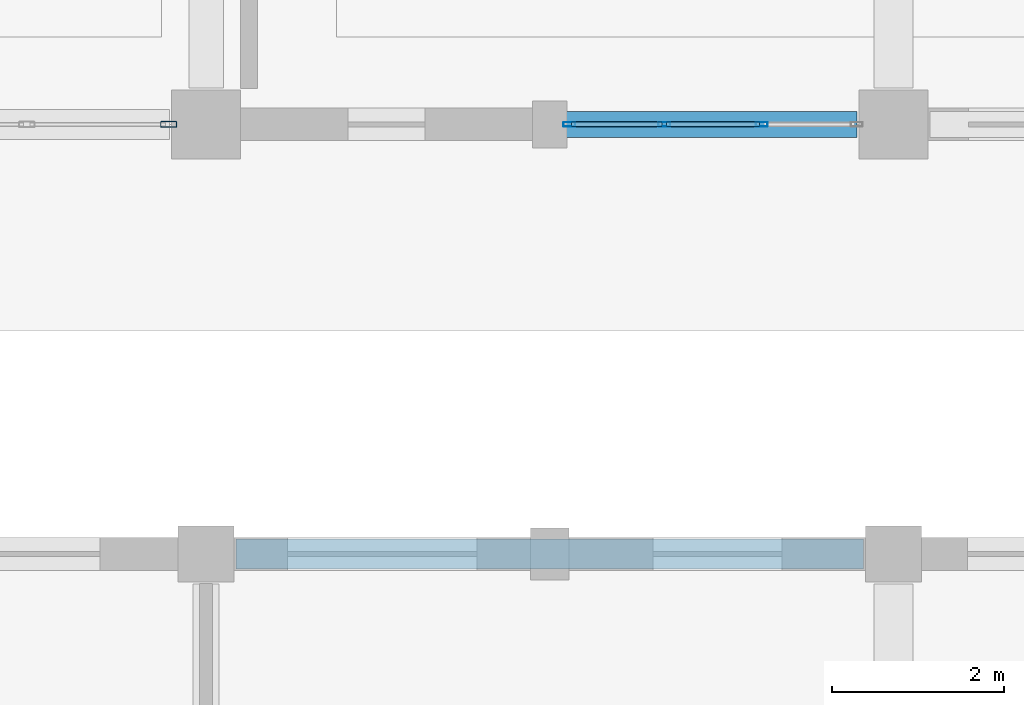
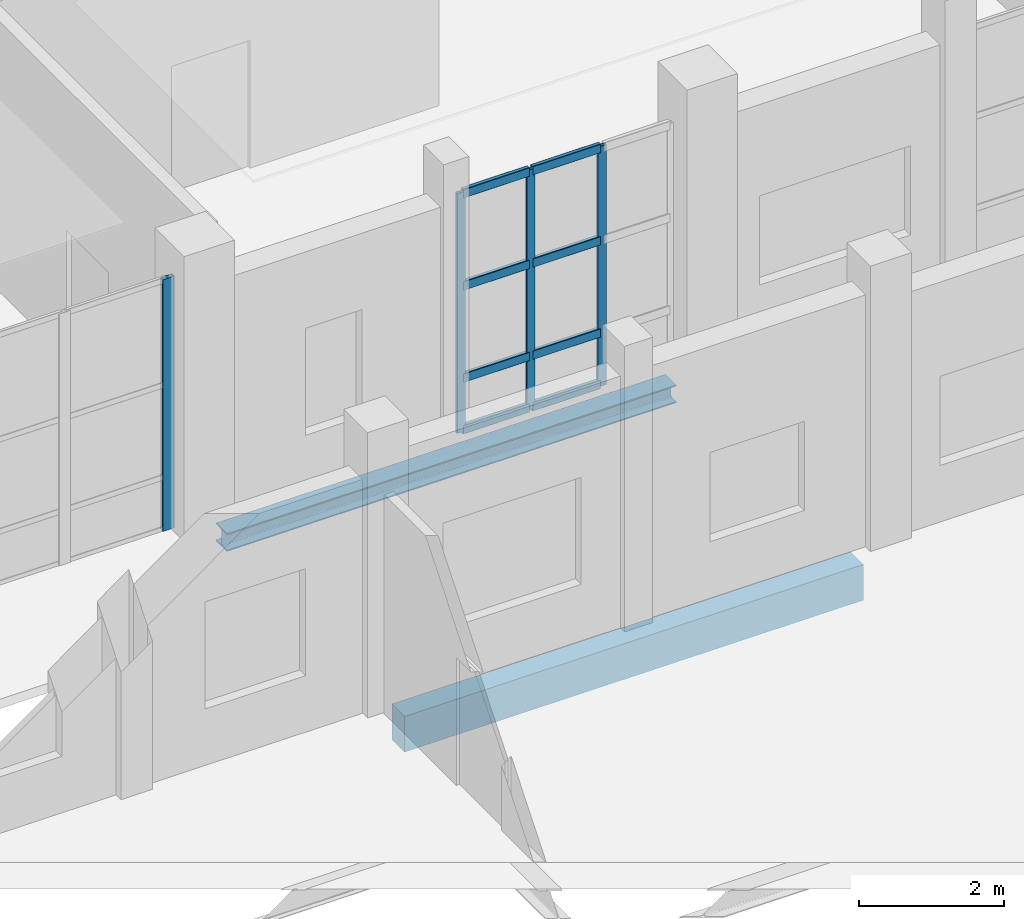
# One storey, part 93 of 156: 12 members, 2 beams, 2 elements without a shape of their own.
"""IFC4 building model written with IfcOpenShell, lengths in metres."""

from ifc_helpers import new_model, si_unit, direction, frame, origin, origin_2d, place, context, subcontext, project, spatial, rectangle, hollow_rectangle, i_section, extrude, material, material_profile, profile_set, type_object, element, aggregate, save


model = new_model("IFC4")

# Units and contexts
model_context = context("Model", 3, precision=1e-05, world=origin(), true_north=direction((0.0, 1.0)))
body_context = subcontext(model_context, "Body", "Model", "MODEL_VIEW")
ifc_project = project(units=[si_unit("LENGTHUNIT", "METRE"), si_unit("AREAUNIT", "SQUARE_METRE"), si_unit("VOLUMEUNIT", "CUBIC_METRE"), si_unit("PLANEANGLEUNIT", "RADIAN"), si_unit("MASSUNIT", "GRAM", prefix="KILO")], contexts=[model_context])

# Site, building, storey
site_placement = place(None, origin())
site = spatial("IfcSite", under=ifc_project, at=site_placement, CompositionType="ELEMENT")
building_placement = place(site_placement, origin())
building = spatial("IfcBuilding", under=site, at=building_placement, Name="Luwemba Playhouse", CompositionType="ELEMENT")
storey_placement = place(building_placement, origin())
storey = spatial("IfcBuildingStorey", under=building, at=storey_placement, Name="L00", CompositionType="ELEMENT", Elevation=0.0)

# Beams
ifc_material_1 = material(Name="Concrete C40/50", Category="concrete")
ifc_material_profile_1 = material_profile(ifc_material_1, rectangle(XDim=0.35009765625, YDim=0.60009765625, at=origin_2d()))
ifc_profile_set_1 = profile_set([ifc_material_profile_1], Name="Concrete C40/50")
beam_type_1 = type_object("IfcBeamType", Name="BM-SP3", PredefinedType="SPANDREL", material=ifc_profile_set_1)
beam_1_placement = place(storey_placement, frame((156.35009765625, 90.0, -0.60009765625), z_axis=(1.0, 0.0, 0.0), x_axis=(0.0, 1.0, 0.0)))
element("IfcBeam", 1, at=beam_1_placement, inside=storey, type_object=beam_type_1, Name="L00 grid girder 0130", PredefinedType="SPANDREL", context=body_context, shape_type="SweptSolid", body=[
    extrude(rectangle(XDim=0.35009765625, YDim=0.60009765625, at=origin_2d()), origin(), (0.0, 0.0, 1.0), 7.2998046875),
])
ifc_material_2 = material(Name="Steel S355", Category="steel")
ifc_material_profile_2 = material_profile(ifc_material_2, i_section(OverallWidth=0.300048828125, OverallDepth=0.300048828125, WebThickness=0.010986328125, FlangeThickness=0.01904296875, FilletRadius=0.027099609375, at=origin_2d()))
ifc_profile_set_2 = profile_set([ifc_material_profile_2], Name="Steel S355")
beam_type_2 = type_object("IfcBeamType", Name="BM-SSP1", PredefinedType="SPANDREL", material=ifc_profile_set_2)
beam_2_placement = place(storey_placement, frame((156.425048828125, 95.0, -0.449951171875), z_axis=(1.0, 0.0, 0.0), x_axis=(0.0, 1.0, 0.0)))
element("IfcBeam", 2, at=beam_2_placement, inside=storey, type_object=beam_type_2, Name="L00 grid girder 0303", PredefinedType="SPANDREL", context=body_context, shape_type="SweptSolid", body=[
    extrude(i_section(OverallWidth=0.300048828125, OverallDepth=0.300048828125, WebThickness=0.010986328125, FlangeThickness=0.01904296875, FilletRadius=0.027099609375, at=origin_2d()), origin(), (0.0, 0.0, 1.0), 7.14990234375),
])

# Curtain wall, members
ifc_material_3 = material(Name="Solar-control double glazing", Category="glass")
curtain_wall_type_1 = type_object("IfcCurtainWallType", Name="CW-CW30", PredefinedType="USERDEFINED", material=ifc_material_3)
curtain_wall_1_placement = place(storey_placement, origin())
curtain_wall_1 = element("IfcCurtainWall", 3, at=curtain_wall_1_placement, inside=storey, type_object=curtain_wall_type_1, Name="L00 V6E unitised curtain wall 089", ObjectType="UNITISED GLAZING", PredefinedType="USERDEFINED")
ifc_material_4 = material(Name="Aluminium 6063-T6", Category="aluminium")
ifc_material_profile_3 = material_profile(ifc_material_4, hollow_rectangle(XDim=0.054931640625, YDim=0.139892578125, WallThickness=0.00390625, InnerFilletRadius=0.006103515625, OuterFilletRadius=0.010009765625, at=origin_2d()))
ifc_profile_set_3 = profile_set([ifc_material_profile_3], Name="Aluminium 6063-T6")
member_type_1 = type_object("IfcMemberType", Name="CWM-M3", PredefinedType="MULLION", material=ifc_profile_set_3)
member_1_placement = place(storey_placement, frame((162.466552734375, 95.0, 0.0), z_axis=(0.0, 0.0, 1.0), x_axis=(0.0, -1.0, 0.0)))
member_1 = element("IfcMember", 4, at=member_1_placement, type_object=member_type_1, Name="CW30 mullion 2", PredefinedType="MULLION", context=body_context, shape_type="SweptSolid", body=[
    extrude(hollow_rectangle(XDim=0.054931640625, YDim=0.139892578125, WallThickness=0.00390625, InnerFilletRadius=0.006103515625, OuterFilletRadius=0.010009765625, at=origin_2d()), origin(), (0.0, 0.0, 1.0), 4.034912109375),
])
member_2_placement = place(storey_placement, frame((161.333251953125, 95.0, 0.0), z_axis=(0.0, 0.0, 1.0), x_axis=(0.0, -1.0, 0.0)))
member_2 = element("IfcMember", 5, at=member_2_placement, type_object=member_type_1, Name="CW30 mullion 3", PredefinedType="MULLION", context=body_context, shape_type="SweptSolid", body=[
    extrude(hollow_rectangle(XDim=0.054931640625, YDim=0.139892578125, WallThickness=0.00390625, InnerFilletRadius=0.006103515625, OuterFilletRadius=0.010009765625, at=origin_2d()), origin(), (0.0, 0.0, 1.0), 4.034912109375),
])
member_3_placement = place(storey_placement, frame((160.2275390625, 95.0, 0.0), z_axis=(0.0, 0.0, 1.0), x_axis=(0.0, -1.0, 0.0)))
member_3 = element("IfcMember", 6, at=member_3_placement, type_object=member_type_1, Name="CW30 mullion 4", PredefinedType="MULLION", context=body_context, shape_type="SweptSolid", body=[
    extrude(hollow_rectangle(XDim=0.054931640625, YDim=0.139892578125, WallThickness=0.00390625, InnerFilletRadius=0.006103515625, OuterFilletRadius=0.010009765625, at=origin_2d()), origin(), (0.0, 0.0, 1.0), 4.034912109375),
])

# Curtain wall, member
curtain_wall_type_2 = type_object("IfcCurtainWallType", Name="CW-CW70", PredefinedType="USERDEFINED", material=ifc_material_3)
curtain_wall_2_placement = place(storey_placement, origin())
curtain_wall_2 = element("IfcCurtainWall", 7, at=curtain_wall_2_placement, inside=storey, type_object=curtain_wall_type_2, Name="L00 V6E unitised curtain wall 090", ObjectType="UNITISED GLAZING", PredefinedType="USERDEFINED")
ifc_material_profile_4 = material_profile(ifc_material_4, hollow_rectangle(XDim=0.070068359375, YDim=0.18994140625, WallThickness=0.0048828125, InnerFilletRadius=0.007568359375, OuterFilletRadius=0.012451171875, at=origin_2d()))
ifc_profile_set_4 = profile_set([ifc_material_profile_4], Name="Aluminium 6063-T6")
member_type_2 = type_object("IfcMemberType", Name="CWM-M4", PredefinedType="MULLION", material=ifc_profile_set_4)
member_4_placement = place(storey_placement, frame((155.56494140625, 95.0, 0.0), z_axis=(0.0, 0.0, 1.0), x_axis=(0.0, -1.0, 0.0)))
member_4 = element("IfcMember", 8, at=member_4_placement, type_object=member_type_2, Name="CW70 mullion 1", PredefinedType="MULLION", context=body_context, shape_type="SweptSolid", body=[
    extrude(hollow_rectangle(XDim=0.070068359375, YDim=0.18994140625, WallThickness=0.0048828125, InnerFilletRadius=0.007568359375, OuterFilletRadius=0.012451171875, at=origin_2d()), origin(), (0.0, 0.0, 1.0), 4.235107421875),
])
aggregate(curtain_wall_2, [member_4])

# Member
ifc_material_profile_5 = material_profile(ifc_material_4, hollow_rectangle(XDim=0.06494140625, YDim=0.14990234375, WallThickness=0.00390625, InnerFilletRadius=0.006103515625, OuterFilletRadius=0.010009765625, at=origin_2d()))
ifc_profile_set_5 = profile_set([ifc_material_profile_5], Name="Aluminium 6063-T6")
member_type_3 = type_object("IfcMemberType", Name="CWT-T3", PredefinedType="USERDEFINED", material=ifc_profile_set_5)
member_5_placement = place(storey_placement, frame((162.439208984375, 95.0, 0.032470703125), z_axis=(-1.0, 0.0, 0.0), x_axis=(0.0, -1.0, 0.0)))
member_5 = element("IfcMember", 9, at=member_5_placement, type_object=member_type_3, Name="CW30 transom 2.1", ObjectType="TRANSOM", PredefinedType="USERDEFINED", context=body_context, shape_type="SweptSolid", body=[
    extrude(hollow_rectangle(XDim=0.06494140625, YDim=0.14990234375, WallThickness=0.00390625, InnerFilletRadius=0.006103515625, OuterFilletRadius=0.010009765625, at=origin_2d()), origin(), (0.0, 0.0, 1.0), 1.078369140625),
])

member_6_placement = place(storey_placement, frame((162.439208984375, 95.0, 0.89990234375), z_axis=(-1.0, 0.0, 0.0), x_axis=(0.0, -1.0, 0.0)))
member_6 = element("IfcMember", 10, at=member_6_placement, type_object=member_type_3, Name="CW30 transom 2.2", ObjectType="TRANSOM", PredefinedType="USERDEFINED", context=body_context, shape_type="SweptSolid", body=[
    extrude(hollow_rectangle(XDim=0.06494140625, YDim=0.14990234375, WallThickness=0.00390625, InnerFilletRadius=0.006103515625, OuterFilletRadius=0.010009765625, at=origin_2d()), origin(), (0.0, 0.0, 1.0), 1.078369140625),
])

member_7_placement = place(storey_placement, frame((162.439208984375, 95.0, 2.449951171875), z_axis=(-1.0, 0.0, 0.0), x_axis=(0.0, -1.0, 0.0)))
member_7 = element("IfcMember", 11, at=member_7_placement, type_object=member_type_3, Name="CW30 transom 2.3", ObjectType="TRANSOM", PredefinedType="USERDEFINED", context=body_context, shape_type="SweptSolid", body=[
    extrude(hollow_rectangle(XDim=0.06494140625, YDim=0.14990234375, WallThickness=0.00390625, InnerFilletRadius=0.006103515625, OuterFilletRadius=0.010009765625, at=origin_2d()), origin(), (0.0, 0.0, 1.0), 1.078369140625),
])

member_8_placement = place(storey_placement, frame((162.439208984375, 95.0, 4.00244140625), z_axis=(-1.0, 0.0, 0.0), x_axis=(0.0, -1.0, 0.0)))
member_8 = element("IfcMember", 12, at=member_8_placement, type_object=member_type_3, Name="CW30 transom 2.4", ObjectType="TRANSOM", PredefinedType="USERDEFINED", context=body_context, shape_type="SweptSolid", body=[
    extrude(hollow_rectangle(XDim=0.06494140625, YDim=0.14990234375, WallThickness=0.00390625, InnerFilletRadius=0.006103515625, OuterFilletRadius=0.010009765625, at=origin_2d()), origin(), (0.0, 0.0, 1.0), 1.078369140625),
])

member_9_placement = place(storey_placement, frame((161.305908203125, 95.0, 0.032470703125), z_axis=(-1.0, 0.0, 0.0), x_axis=(0.0, -1.0, 0.0)))
member_9 = element("IfcMember", 13, at=member_9_placement, type_object=member_type_3, Name="CW30 transom 3.1", ObjectType="TRANSOM", PredefinedType="USERDEFINED", context=body_context, shape_type="SweptSolid", body=[
    extrude(hollow_rectangle(XDim=0.06494140625, YDim=0.14990234375, WallThickness=0.00390625, InnerFilletRadius=0.006103515625, OuterFilletRadius=0.010009765625, at=origin_2d()), origin(), (0.0, 0.0, 1.0), 1.051025390625),
])

member_10_placement = place(storey_placement, frame((161.305908203125, 95.0, 0.89990234375), z_axis=(-1.0, 0.0, 0.0), x_axis=(0.0, -1.0, 0.0)))
member_10 = element("IfcMember", 14, at=member_10_placement, type_object=member_type_3, Name="CW30 transom 3.2", ObjectType="TRANSOM", PredefinedType="USERDEFINED", context=body_context, shape_type="SweptSolid", body=[
    extrude(hollow_rectangle(XDim=0.06494140625, YDim=0.14990234375, WallThickness=0.00390625, InnerFilletRadius=0.006103515625, OuterFilletRadius=0.010009765625, at=origin_2d()), origin(), (0.0, 0.0, 1.0), 1.051025390625),
])

member_11_placement = place(storey_placement, frame((161.305908203125, 95.0, 2.449951171875), z_axis=(-1.0, 0.0, 0.0), x_axis=(0.0, -1.0, 0.0)))
member_11 = element("IfcMember", 15, at=member_11_placement, type_object=member_type_3, Name="CW30 transom 3.3", ObjectType="TRANSOM", PredefinedType="USERDEFINED", context=body_context, shape_type="SweptSolid", body=[
    extrude(hollow_rectangle(XDim=0.06494140625, YDim=0.14990234375, WallThickness=0.00390625, InnerFilletRadius=0.006103515625, OuterFilletRadius=0.010009765625, at=origin_2d()), origin(), (0.0, 0.0, 1.0), 1.051025390625),
])

member_12_placement = place(storey_placement, frame((161.305908203125, 95.0, 4.00244140625), z_axis=(-1.0, 0.0, 0.0), x_axis=(0.0, -1.0, 0.0)))
member_12 = element("IfcMember", 16, at=member_12_placement, type_object=member_type_3, Name="CW30 transom 3.4", ObjectType="TRANSOM", PredefinedType="USERDEFINED", context=body_context, shape_type="SweptSolid", body=[
    extrude(hollow_rectangle(XDim=0.06494140625, YDim=0.14990234375, WallThickness=0.00390625, InnerFilletRadius=0.006103515625, OuterFilletRadius=0.010009765625, at=origin_2d()), origin(), (0.0, 0.0, 1.0), 1.051025390625),
])

aggregate(curtain_wall_1, [member_1, member_2, member_3, member_5, member_6, member_7, member_8, member_9, member_10, member_11, member_12])

save(model, "model.ifc")
